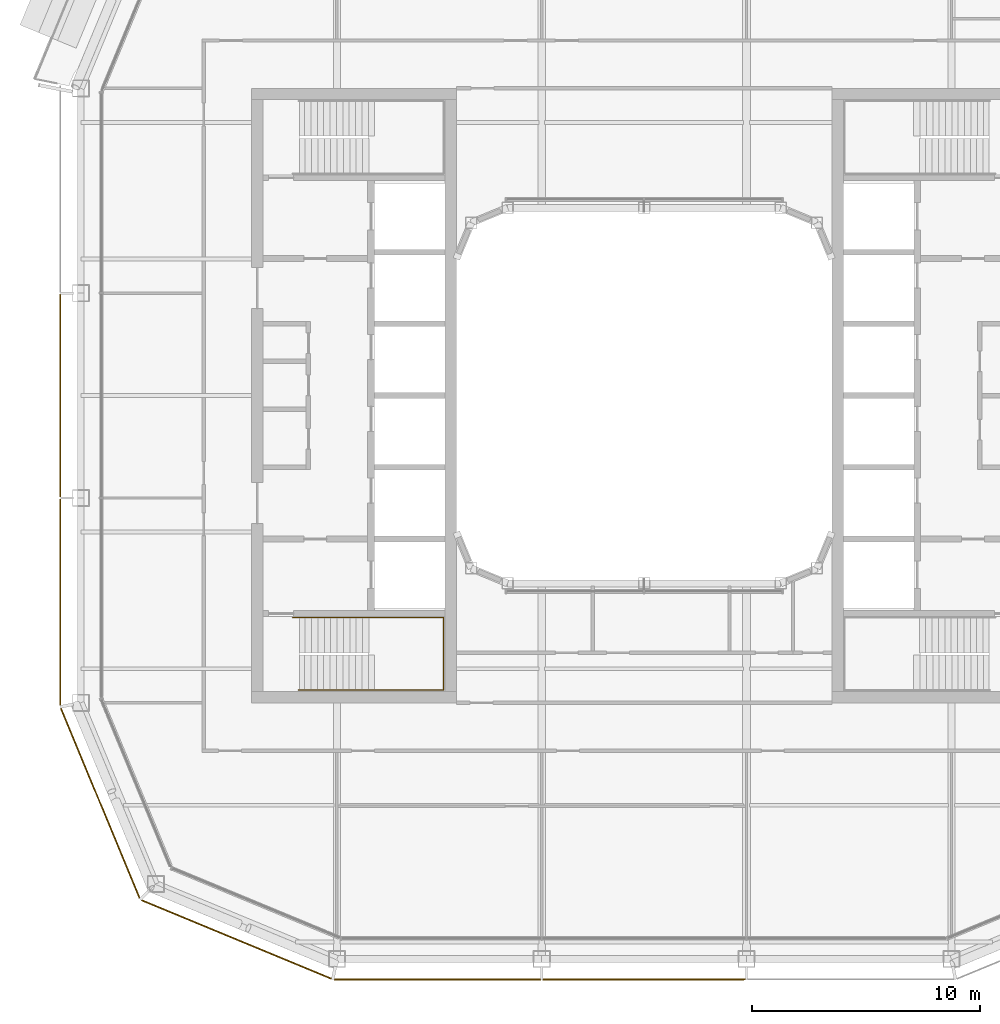
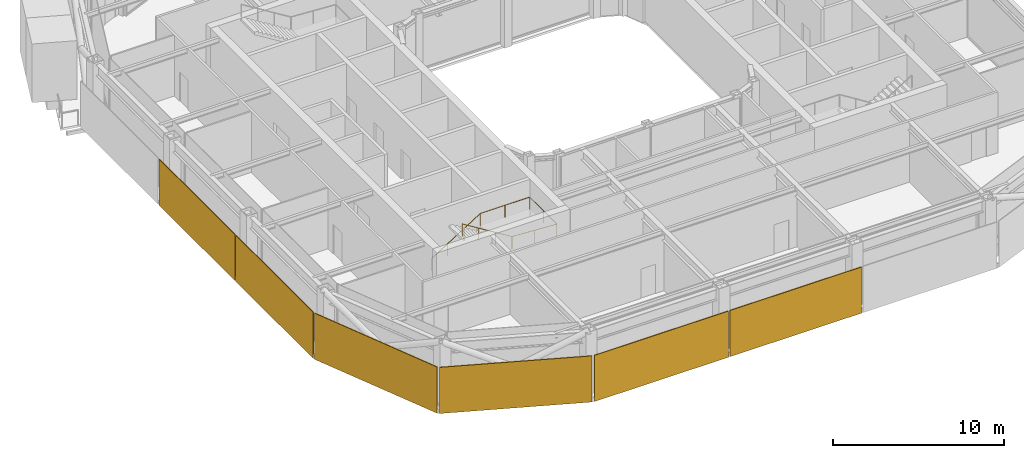
# One storey, part 17 of 21: 6 coverings, 1 railing.
"""IFC4 building model written with IfcOpenShell, lengths in metres."""

from ifc_helpers import new_model, si_unit, direction, frame, origin, origin_2d, place, context, subcontext, project, spatial, rectangle, circle, extrude, material, layer, layer_set, type_object, element, save


model = new_model("IFC4")

# Units and contexts
model_context = context("Model", 3, precision=1e-05, world=origin(), true_north=direction((0.0, 1.0)))
body_context = subcontext(model_context, "Body", "Model", "MODEL_VIEW")
ifc_project = project(units=[si_unit("LENGTHUNIT", "METRE"), si_unit("AREAUNIT", "SQUARE_METRE"), si_unit("VOLUMEUNIT", "CUBIC_METRE"), si_unit("PLANEANGLEUNIT", "RADIAN"), si_unit("MASSUNIT", "GRAM", prefix="KILO")], contexts=[model_context])

# Site, building, storey
site_placement = place(None, origin())
site = spatial("IfcSite", under=ifc_project, at=site_placement, CompositionType="ELEMENT")
building_placement = place(site_placement, origin())
building = spatial("IfcBuilding", under=site, at=building_placement, Name="Siwar Civic Tower", CompositionType="ELEMENT")
storey_placement = place(building_placement, frame((0.0, 0.0, 312.199951171875)))
storey = spatial("IfcBuildingStorey", under=building, at=storey_placement, Name="L67", CompositionType="ELEMENT", Elevation=312.199951171875)

# Railing
ifc_material_1 = material(Name="Stainless steel", Category="steel")
railing_type = type_object("IfcRailingType", Name="CORE-STAIR-HANDRAIL", PredefinedType="HANDRAIL", material=ifc_material_1)
railing_placement = place(storey_placement, frame((-15.449951171875, -9.758056640625, 0.173095703125)))
element("IfcRailing", 1, at=railing_placement, inside=storey, type_object=railing_type, Name="Stair handrail ST2", PredefinedType="HANDRAIL", context=body_context, shape_type="SweptSolid", body=[
    extrude(circle(Radius=0.02001953125, at=origin_2d()), frame((0.0, 0.0, 0.8798828125), z_axis=(0.847063342986, 0.0, 0.531491950051), x_axis=(0.0, 1.0, 0.0)), (0.0, 0.0, 1.0), 3.90771484375),
    extrude(circle(Radius=0.02001953125, at=origin_2d()), frame((3.31005859375, 0.0, 2.956787109375), z_axis=(1.0, 0.0, 0.0), x_axis=(0.0, 1.0, 0.0)), (0.0, 0.0, 1.0), 3.331787109375),
    extrude(circle(Radius=0.02001953125, at=origin_2d()), frame((6.641845703125, 0.0, 2.956787109375), z_axis=(0.0, -1.0, 0.0), x_axis=(1.0, 0.0, 0.0)), (0.0, 0.0, 1.0), 3.183837890625),
    extrude(circle(Radius=0.02001953125, at=origin_2d()), frame((6.641845703125, -3.183837890625, 2.956787109375), z_axis=(-0.99837434197, 0.0, 0.056997134106), x_axis=(0.0, -1.0, 0.0)), (0.0, 0.0, 1.0), 3.036865234375),
    extrude(circle(Radius=0.02001953125, at=origin_2d()), frame((3.60986328125, -3.183837890625, 3.1298828125), z_axis=(-0.850606129759, 0.0, 0.525803396734), x_axis=(0.0, -1.0, 0.0)), (0.0, 0.0, 1.0), 3.949951171875),
    extrude(circle(Radius=0.02001953125, at=origin_2d()), origin(), (0.0, 0.0, 1.0), 0.85986328125),
    extrude(circle(Radius=0.02001953125, at=origin_2d()), frame((1.103271484375, 0.0, 0.6923828125)), (0.0, 0.0, 1.0), 0.85986328125),
    extrude(circle(Radius=0.02001953125, at=origin_2d()), frame((2.206787109375, 0.0, 1.384521484375)), (0.0, 0.0, 1.0), 0.85986328125),
    extrude(circle(Radius=0.02001953125, at=origin_2d()), frame((3.31005859375, 0.0, 2.076904296875)), (0.0, 0.0, 1.0), 0.85986328125),
    extrude(circle(Radius=0.02001953125, at=origin_2d()), frame((4.97607421875, 0.0, 2.076904296875)), (0.0, 0.0, 1.0), 0.85986328125),
    extrude(circle(Radius=0.02001953125, at=origin_2d()), frame((6.641845703125, 0.0, 2.076904296875)), (0.0, 0.0, 1.0), 0.85986328125),
    extrude(circle(Radius=0.02001953125, at=origin_2d()), frame((6.641845703125, -1.591796875, 2.076904296875)), (0.0, 0.0, 1.0), 0.85986328125),
    extrude(circle(Radius=0.02001953125, at=origin_2d()), frame((6.641845703125, -3.183837890625, 2.076904296875)), (0.0, 0.0, 1.0), 0.85986328125),
    extrude(circle(Radius=0.02001953125, at=origin_2d()), frame((5.1259765625, -3.183837890625, 2.16357421875)), (0.0, 0.0, 1.0), 0.85986328125),
    extrude(circle(Radius=0.02001953125, at=origin_2d()), frame((3.60986328125, -3.183837890625, 2.25)), (0.0, 0.0, 1.0), 0.85986328125),
    extrude(circle(Radius=0.02001953125, at=origin_2d()), frame((2.489990234375, -3.183837890625, 2.9423828125)), (0.0, 0.0, 1.0), 0.85986328125),
    extrude(circle(Radius=0.02001953125, at=origin_2d()), frame((1.369873046875, -3.183837890625, 3.634521484375)), (0.0, 0.0, 1.0), 0.85986328125),
    extrude(circle(Radius=0.02001953125, at=origin_2d()), frame((0.25, -3.183837890625, 4.326904296875)), (0.0, 0.0, 1.0), 0.85986328125),
])

# Coverings
ifc_material_2 = material(Name="Perforated aluminium cassette, pale metal", Category="aluminium")
ifc_layer_1 = layer(ifc_material_2, 0.050048828125)
ifc_layer_set_1 = layer_set([ifc_layer_1], Name="Perforated aluminium cassette, pale metal")
covering_type_1 = type_object("IfcCoveringType", Name="ENV-OUTER SKIN OS-3", PredefinedType="CLADDING", material=ifc_layer_set_1)
covering_1_placement = place(storey_placement, frame((-25.64990234375, 0.0, -0.14990234375), z_axis=(0.0, 0.0, 1.0), x_axis=(0.0, -1.0, 0.0)))
element("IfcCovering", 2, at=covering_1_placement, inside=storey, type_object=covering_type_1, Name="OUTER SKIN OS-3 W 2", PredefinedType="CLADDING", context=body_context, shape_type="SweptSolid", body=[
    extrude(rectangle(XDim=8.89990234375, YDim=0.050048828125, at=origin_2d()), origin(), (0.0, 0.0, 1.0), 3.300048828125),
])
covering_2_placement = place(storey_placement, frame((-25.64990234375, -9.07958984375, -0.14990234375), z_axis=(0.0, 0.0, 1.0), x_axis=(0.0, -1.0, 0.0)))
element("IfcCovering", 3, at=covering_2_placement, inside=storey, type_object=covering_type_1, Name="OUTER SKIN OS-3 W 3", PredefinedType="CLADDING", context=body_context, shape_type="SweptSolid", body=[
    extrude(rectangle(XDim=9.05908203125, YDim=0.050048828125, at=origin_2d()), origin(), (0.0, 0.0, 1.0), 3.300048828125),
])
ifc_material_3 = material(Name="Perforated aluminium cassette, pale metal", Category="aluminium")
ifc_layer_2 = layer(ifc_material_3, 0.054931640625)
ifc_layer_set_2 = layer_set([ifc_layer_2], Name="Perforated aluminium cassette, pale metal")
covering_type_2 = type_object("IfcCoveringType", Name="ENV-OUTER SKIN OS-4", PredefinedType="CLADDING", material=ifc_layer_set_2)
covering_3_placement = place(storey_placement, frame((-9.07958984375, -25.64990234375, -0.14990234375), z_axis=(0.0, 0.0, 1.0), x_axis=(1.0, 0.0, 0.0)))
element("IfcCovering", 4, at=covering_3_placement, inside=storey, type_object=covering_type_2, Name="OUTER SKIN OS-4 S 1", PredefinedType="CLADDING", context=body_context, shape_type="SweptSolid", body=[
    extrude(rectangle(XDim=9.05908203125, YDim=0.054931640625, at=origin_2d()), origin(), (0.0, 0.0, 1.0), 3.300048828125),
])
covering_4_placement = place(storey_placement, frame((0.0, -25.64990234375, -0.14990234375), z_axis=(0.0, 0.0, 1.0), x_axis=(1.0, 0.0, 0.0)))
element("IfcCovering", 5, at=covering_4_placement, inside=storey, type_object=covering_type_2, Name="OUTER SKIN OS-4 S 2", PredefinedType="CLADDING", context=body_context, shape_type="SweptSolid", body=[
    extrude(rectangle(XDim=8.89990234375, YDim=0.054931640625, at=origin_2d()), origin(), (0.0, 0.0, 1.0), 3.300048828125),
])
for number, where, z_axis, x_axis, name in (
    (6, (-23.89697265625, -17.911376953125, -0.14990234375), (0.0, 0.0, 1.0), (0.382683432365, -0.923879532511, 0.0), "OUTER SKIN OS-4 SW1 1"),
    (7, (-17.911376953125, -23.89697265625, -0.14990234375), (0.0, 0.0, 1.0), (0.923879532511, -0.382683432365, 0.0), "OUTER SKIN OS-4 SW2 1"),
):
    element("IfcCovering", number, at=place(storey_placement, frame(where, z_axis=z_axis, x_axis=x_axis)), inside=storey, type_object=covering_type_2, Name=name, PredefinedType="CLADDING", context=body_context, shape_type="SweptSolid", body=[
        extrude(rectangle(XDim=9.022216796875, YDim=0.054931640625, at=origin_2d()), origin(), (0.0, 0.0, 1.0), 3.300048828125),
    ])

save(model, "model.ifc")
